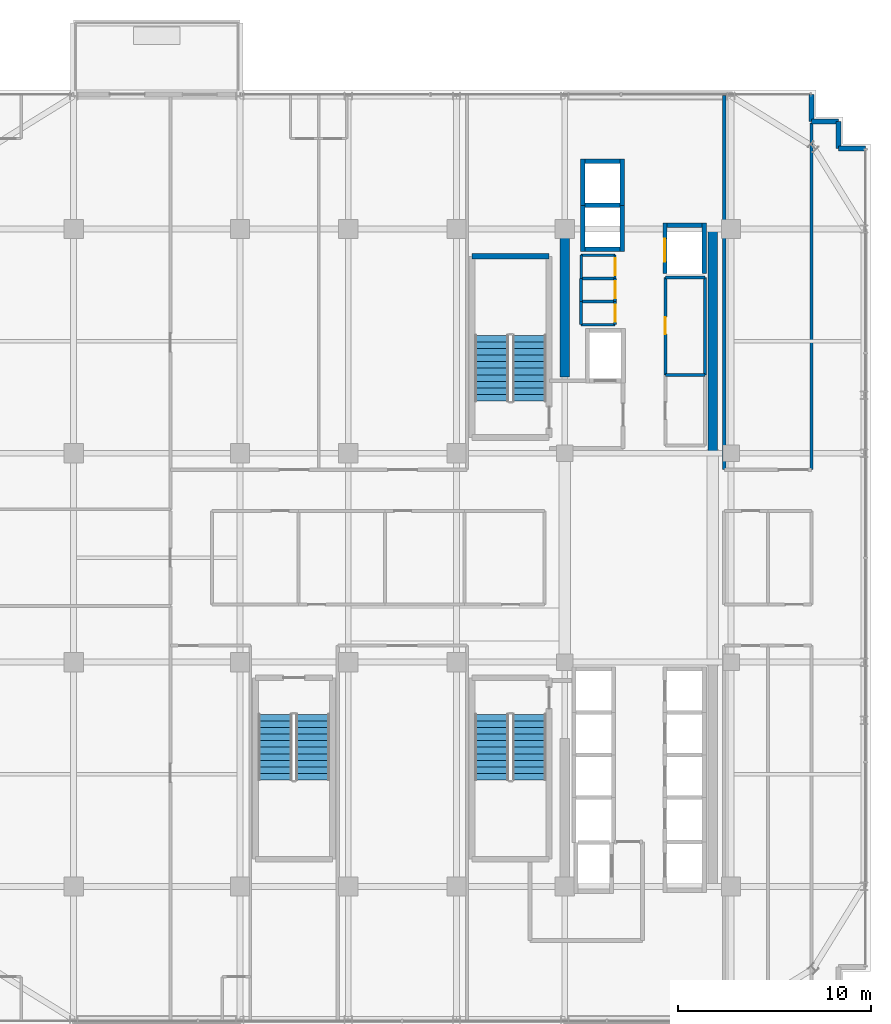
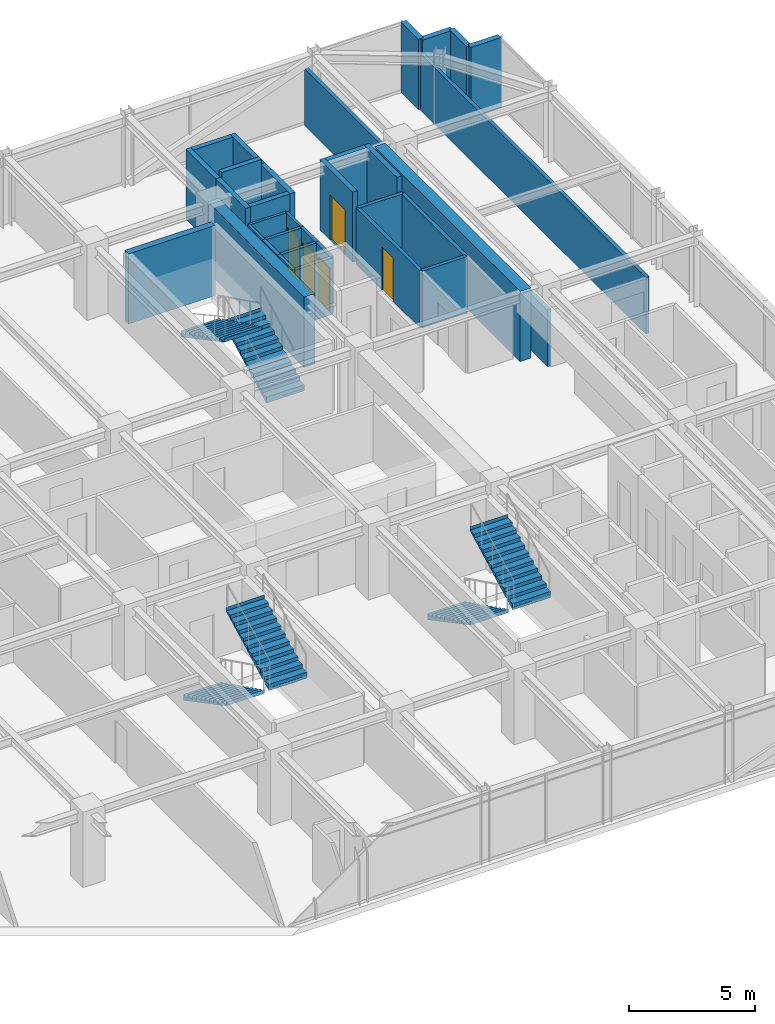
# One storey, part 32 of 36: 33 walls, 6 stair flights, 5 doors, 5 openings, 3 elements without a shape of their own.
"""IFC4 building model written with IfcOpenShell, lengths in metres."""

from ifc_helpers import new_model, si_unit, direction, frame, frame_2d, origin, place, context, subcontext, project, spatial, polyline, rectangle, outline, extrude, source, transform, mapped, material, layer, layer_set, type_object, element, fill, aggregate, save


model = new_model("IFC4")

# Units and contexts
model_context = context("Model", 3, precision=1e-05, world=origin(), true_north=direction((0.0, 1.0)))
body_context = subcontext(model_context, "Body", "Model", "MODEL_VIEW")
ifc_project = project(units=[si_unit("LENGTHUNIT", "METRE"), si_unit("AREAUNIT", "SQUARE_METRE"), si_unit("VOLUMEUNIT", "CUBIC_METRE"), si_unit("PLANEANGLEUNIT", "RADIAN"), si_unit("MASSUNIT", "GRAM", prefix="KILO")], contexts=[model_context])

# Site, building, storey
site_placement = place(None, origin())
site = spatial("IfcSite", under=ifc_project, at=site_placement, CompositionType="ELEMENT")
building_placement = place(site_placement, origin())
building = spatial("IfcBuilding", under=site, at=building_placement, Name="Nahalor Promenade Grand Hotel", CompositionType="ELEMENT")
storey_placement = place(building_placement, frame((0.0, 0.0, 212.300048828125)))
storey = spatial("IfcBuildingStorey", under=building, at=storey_placement, Name="L54", CompositionType="ELEMENT", Elevation=212.300048828125)

# Walls
ifc_material_1 = material(Name="Concrete B-60 (C50/60)", Category="concrete")
ifc_layer_1 = layer(ifc_material_1, 0.5)
ifc_layer_set_1 = layer_set([ifc_layer_1], Name="Concrete B-60 (C50/60)")
wall_type_1 = type_object("IfcWallType", Name="Wall-CoreShear-500", PredefinedType="SHEAR", material=ifc_layer_set_1)
shared_shape_1 = source(origin(), body_context, "Body", "SweptSolid", [
    extrude(rectangle(XDim=7.64990234375, YDim=0.5, at=frame_2d((3.824951171875, 0.0))), origin(), (0.0, 0.0, 1.0), 3.409912109375),
])
wall_1_placement = place(storey_placement, frame((8.39990234375, 9.35009765625, 0.0), z_axis=(0.0, 0.0, 1.0), x_axis=(0.0, 1.0, 0.0)))
element("IfcWall", 1, at=wall_1_placement, inside=storey, type_object=wall_type_1, Name="CWALL-L54-NW", PredefinedType="SHEAR", context=body_context, shape_type="MappedRepresentation", body=[
    mapped(shared_shape_1, transform((0.0, 0.0, 0.0), scale=1.0)),
])
shared_shape_2 = source(origin(), body_context, "Body", "SweptSolid", [
    extrude(rectangle(XDim=11.60009765625, YDim=0.5, at=frame_2d((5.800048828125, 0.0))), origin(), (0.0, 0.0, 1.0), 3.409912109375),
])
wall_2_placement = place(storey_placement, frame((16.050048828125, 5.39990234375, 0.0), z_axis=(0.0, 0.0, 1.0), x_axis=(0.0, 1.0, 0.0)))
element("IfcWall", 2, at=wall_2_placement, inside=storey, type_object=wall_type_1, Name="CWALL-L54-NE", PredefinedType="SHEAR", context=body_context, shape_type="MappedRepresentation", body=[
    mapped(shared_shape_2, transform((0.0, 0.0, 0.0), scale=1.0)),
])
ifc_material_2 = material(Name="Concrete B-50 (C40/50)", Category="concrete")
ifc_layer_2 = layer(ifc_material_2, 0.300048828125)
ifc_layer_set_2 = layer_set([ifc_layer_2], Name="Concrete B-50 (C40/50)")
wall_type_2 = type_object("IfcWallType", Name="Wall-ShaftShear-300", PredefinedType="SHEAR", material=ifc_layer_set_2)
shared_shape_3 = source(origin(), body_context, "Body", "SweptSolid", [
    extrude(rectangle(XDim=3.97998046875, YDim=0.300048828125, at=frame_2d((1.989990234375, 0.0))), origin(), (0.0, 0.0, 1.0), 3.409912109375),
])
wall_3_placement = place(storey_placement, frame((3.610107421875, 15.590087890625, 0.0), z_axis=(0.0, 0.0, 1.0), x_axis=(1.0, 0.0, 0.0)))
element("IfcWall", 3, at=wall_3_placement, inside=storey, type_object=wall_type_2, Name="L54 Exit Stair ST1 Shaft Wall N", PredefinedType="SHEAR", context=body_context, shape_type="MappedRepresentation", body=[
    mapped(shared_shape_3, transform((0.0, 0.0, 0.0), scale=1.0)),
])
ifc_layer_3 = layer(ifc_material_2, 0.219970703125)
ifc_layer_set_3 = layer_set([ifc_layer_3], Name="Concrete B-50 (C40/50)")
wall_type_3 = type_object("IfcWallType", Name="Wall-LiftShaft-220", PredefinedType="SHEAR", material=ifc_layer_set_3)
shared_shape_4 = source(origin(), body_context, "Body", "SweptSolid", [
    extrude(rectangle(XDim=1.820068359375, YDim=0.219970703125, at=frame_2d((0.91015625, 0.0))), origin(), (0.0, 0.0, 1.0), 3.409912109375),
])
for number, where, z_axis, x_axis, name in (
    (4, (9.43994140625, 15.949951171875, 0.0), (0.0, 0.0, 1.0), (1.0, 0.0, 0.0), "L54 Lift OB1 Hoistway Wall S"),
    (5, (9.43994140625, 20.5, 0.0), (0.0, 0.0, 1.0), (1.0, 0.0, 0.0), "L54 Lift OB2 Hoistway Wall N"),
    (6, (13.68994140625, 17.199951171875, 0.0), (0.0, 0.0, 1.0), (1.0, 0.0, 0.0), "L54 Lift SV1 Hoistway Wall N"),
):
    element("IfcWall", number, at=place(storey_placement, frame(where, z_axis=z_axis, x_axis=x_axis)), inside=storey, type_object=wall_type_3, Name=name, PredefinedType="SHEAR", context=body_context, shape_type="MappedRepresentation", body=[
        mapped(shared_shape_4, transform((0.0, 0.0, 0.0), scale=1.0)),
    ])
shared_shape_5 = source(origin(), body_context, "Body", "SweptSolid", [
    extrude(rectangle(XDim=1.820068359375, YDim=0.219970703125, at=frame_2d((0.91015625, 0.0))), origin(), (0.0, 0.0, 1.0), 3.699951171875),
])
wall_4_placement = place(storey_placement, frame((9.43994140625, 18.22509765625, 0.0), z_axis=(0.0, 0.0, 1.0), x_axis=(1.0, 0.0, 0.0)))
element("IfcWall", 7, at=wall_4_placement, inside=storey, type_object=wall_type_3, Name="L54 Lift OB1 Hoistway Wall N", PredefinedType="SHEAR", context=body_context, shape_type="MappedRepresentation", body=[
    mapped(shared_shape_5, transform((0.0, 0.0, 0.0), scale=1.0)),
])
shared_shape_6 = source(origin(), body_context, "Body", "SweptSolid", [
    extrude(rectangle(XDim=2.385009765625, YDim=0.219970703125, at=frame_2d((1.1923828125, 0.0))), origin(), (0.0, 0.0, 1.0), 3.409912109375),
])
for number, where, z_axis, x_axis, name in (
    (8, (9.330078125, 15.840087890625, 0.0), (0.0, 0.0, 1.0), (0.0, 1.0, 0.0), "L54 Lift OB1 Hoistway Wall W"),
    (9, (11.3701171875, 15.840087890625, 0.0), (0.0, 0.0, 1.0), (0.0, 1.0, 0.0), "L54 Lift OB1 Hoistway Wall E"),
    (10, (9.330078125, 18.22509765625, 0.0), (0.0, 0.0, 1.0), (0.0, 1.0, 0.0), "L54 Lift OB2 Hoistway Wall W"),
    (11, (11.3701171875, 18.22509765625, 0.0), (0.0, 0.0, 1.0), (0.0, 1.0, 0.0), "L54 Lift OB2 Hoistway Wall E"),
):
    element("IfcWall", number, at=place(storey_placement, frame(where, z_axis=z_axis, x_axis=x_axis)), inside=storey, type_object=wall_type_3, Name=name, PredefinedType="SHEAR", context=body_context, shape_type="MappedRepresentation", body=[
        mapped(shared_shape_6, transform((0.0, 0.0, 0.0), scale=1.0)),
    ])

# Wall, opening, door
shared_shape_7 = source(origin(), body_context, "Body", "SweptSolid", [
    extrude(rectangle(XDim=2.610107421875, YDim=0.219970703125, at=frame_2d((1.30517578125, 0.0))), origin(), (0.0, 0.0, 1.0), 3.409912109375),
])
wall_5_placement = place(storey_placement, frame((13.580078125, 14.699951171875, 0.0), z_axis=(0.0, 0.0, 1.0), x_axis=(0.0, 1.0, 0.0)))
wall_5 = element("IfcWall", 12, at=wall_5_placement, inside=storey, type_object=wall_type_3, Name="L54 Lift SV1 Hoistway Wall W", PredefinedType="SHEAR", context=body_context, shape_type="MappedRepresentation", body=[
    mapped(shared_shape_7, transform((0.0, 0.0, 0.0), scale=1.0)),
])
opening_1_placement = place(wall_5_placement, frame((0.60009765625, 0.0, 0.0)))
opening_1 = element("IfcOpeningElement", 13, at=opening_1_placement, cuts=wall_5, Name="Opening LD-03", PredefinedType="OPENING", context=body_context, shape_type="SweptSolid", body=[
    extrude(rectangle(XDim=1.199951171875, YDim=2.199951171875, at=frame_2d((0.60009765625, 1.10009765625))), frame((0.0, 0.119873046875, 0.0), z_axis=(0.0, -1.0, 0.0), x_axis=(1.0, 0.0, 0.0)), (0.0, 0.0, 1.0), 0.239990234375),
])
ifc_material_3 = material(Name="Steel S355JR", Category="steel")
door_type_1 = type_object("IfcDoorType", Name="Door-LiftService-1200", OperationType="DOUBLE_DOOR_SLIDING", PredefinedType="DOOR", material=ifc_material_3)
shared_shape_8 = source(origin(), body_context, "Body", "SweptSolid", [
    extrude(rectangle(XDim=1.199951171875, YDim=2.199951171875, at=frame_2d((0.60009765625, 1.10009765625))), frame((0.0, 0.02490234375, 0.0), z_axis=(0.0, -1.0, 0.0), x_axis=(1.0, 0.0, 0.0)), (0.0, 0.0, 1.0), 0.050048828125),
])
door_1_placement = place(opening_1_placement, origin())
door_1 = element("IfcDoor", 14, at=door_1_placement, inside=storey, type_object=door_type_1, Name="DR-LIFT-SV1-L54", OperationType="DOUBLE_DOOR_SLIDING", OverallHeight=2.199951171875, OverallWidth=1.199951171875, PredefinedType="DOOR", context=body_context, shape_type="MappedRepresentation", body=[
    mapped(shared_shape_8, transform((0.0, 0.0, 0.0), scale=1.0)),
])
fill(opening_1, door_1)

# Walls
wall_6_placement = place(storey_placement, frame((15.6201171875, 14.699951171875, 0.0), z_axis=(0.0, 0.0, 1.0), x_axis=(0.0, 1.0, 0.0)))
element("IfcWall", 15, at=wall_6_placement, inside=storey, type_object=wall_type_3, Name="L54 Lift SV1 Hoistway Wall E", PredefinedType="SHEAR", context=body_context, shape_type="MappedRepresentation", body=[
    mapped(shared_shape_7, transform((0.0, 0.0, 0.0), scale=1.0)),
])
ifc_material_4 = material(Name="Concrete B-40 (C32/40)", Category="concrete")
ifc_layer_4 = layer(ifc_material_4, 0.25)
ifc_layer_set_4 = layer_set([ifc_layer_4], Name="Concrete B-40 (C32/40)")
wall_type_4 = type_object("IfcWallType", Name="Wall-BronzePier-250", PredefinedType="STANDARD", material=ifc_layer_set_4)
shared_shape_9 = source(origin(), body_context, "Body", "SweptSolid", [
    extrude(rectangle(XDim=1.39990234375, YDim=0.25, at=frame_2d((0.699951171875, 0.0))), origin(), (0.0, 0.0, 1.0), 3.409912109375),
])
for number, where, z_axis, x_axis, name in (
    (16, (22.56005859375, 21.159912109375, 0.0), (0.0, 0.0, 1.0), (1.0, 0.0, 0.0), "W-L54-SR-05"),
    (17, (21.159912109375, 22.56005859375, 0.0), (0.0, 0.0, 1.0), (0.0, 1.0, 0.0), "W-L54-SR-08"),
):
    element("IfcWall", number, at=place(storey_placement, frame(where, z_axis=z_axis, x_axis=x_axis)), inside=storey, type_object=wall_type_4, Name=name, PredefinedType="STANDARD", context=body_context, shape_type="MappedRepresentation", body=[
        mapped(shared_shape_9, transform((0.0, 0.0, 0.0), scale=1.0)),
    ])
shared_shape_10 = source(origin(), body_context, "Body", "SweptSolid", [
    extrude(rectangle(XDim=1.400146484375, YDim=0.25, at=frame_2d((0.7001953125, 0.0))), origin(), (0.0, 0.0, 1.0), 3.409912109375),
])
for number, where, z_axis, x_axis, name in (
    (18, (22.56005859375, 21.159912109375, 0.0), (0.0, 0.0, 1.0), (0.0, 1.0, 0.0), "W-L54-SR-06"),
    (19, (21.159912109375, 22.56005859375, 0.0), (0.0, 0.0, 1.0), (1.0, 0.0, 0.0), "W-L54-SR-07"),
):
    element("IfcWall", number, at=place(storey_placement, frame(where, z_axis=z_axis, x_axis=x_axis)), inside=storey, type_object=wall_type_4, Name=name, PredefinedType="STANDARD", context=body_context, shape_type="MappedRepresentation", body=[
        mapped(shared_shape_10, transform((0.0, 0.0, 0.0), scale=1.0)),
    ])
ifc_material_5 = material(Name="Acoustic Mineral Gypsum", Category="gypsum")
ifc_layer_5 = layer(ifc_material_5, 0.14990234375)
ifc_layer_set_5 = layer_set([ifc_layer_5], Name="Acoustic Mineral Gypsum")
wall_type_5 = type_object("IfcWallType", Name="Wall-PartService-150", PredefinedType="PARTITIONING", material=ifc_layer_set_5)
shared_shape_11 = source(origin(), body_context, "Body", "SweptSolid", [
    extrude(rectangle(XDim=1.75, YDim=0.14990234375, at=frame_2d((0.875, 0.0))), origin(), (0.0, 0.0, 1.0), 2.75),
])
for number, where, z_axis, x_axis, name in (
    (20, (9.25, 12.050048828125, 0.0), (0.0, 0.0, 1.0), (1.0, 0.0, 0.0), "W-L54-CK3A-S"),
    (21, (9.25, 13.25, 0.0), (0.0, 0.0, 1.0), (1.0, 0.0, 0.0), "W-L54-CK3A-N"),
    (22, (9.25, 14.449951171875, 0.0), (0.0, 0.0, 1.0), (1.0, 0.0, 0.0), "W-L54-CK3B-N"),
):
    element("IfcWall", number, at=place(storey_placement, frame(where, z_axis=z_axis, x_axis=x_axis)), inside=storey, type_object=wall_type_5, Name=name, PredefinedType="PARTITIONING", context=body_context, shape_type="MappedRepresentation", body=[
        mapped(shared_shape_11, transform((0.0, 0.0, 0.0), scale=1.0)),
    ])
ifc_layer_6 = layer(ifc_material_5, 0.159912109375)
ifc_layer_set_6 = layer_set([ifc_layer_6], Name="Acoustic Mineral Gypsum")
wall_type_6 = type_object("IfcWallType", Name="Wall-PartCorridor-160", PredefinedType="PARTITIONING", material=ifc_layer_set_6)
shared_shape_12 = source(origin(), body_context, "Body", "SweptSolid", [
    extrude(rectangle(XDim=2.0498046875, YDim=0.159912109375, at=frame_2d((1.02490234375, 0.0))), origin(), (0.0, 0.0, 1.0), 2.75),
])
for number, where, z_axis, x_axis, name in (
    (23, (13.60009765625, 9.449951171875, 0.0), (0.0, 0.0, 1.0), (1.0, 0.0, 0.0), "W-L54-FRB1A-N"),
    (24, (13.60009765625, 14.5, 0.0), (0.0, 0.0, 1.0), (1.0, 0.0, 0.0), "W-L54-FRB1B-N"),
):
    element("IfcWall", number, at=place(storey_placement, frame(where, z_axis=z_axis, x_axis=x_axis)), inside=storey, type_object=wall_type_6, Name=name, PredefinedType="PARTITIONING", context=body_context, shape_type="MappedRepresentation", body=[
        mapped(shared_shape_12, transform((0.0, 0.0, 0.0), scale=1.0)),
    ])
shared_shape_13 = source(origin(), body_context, "Body", "SweptSolid", [
    extrude(rectangle(XDim=19.349853515625, YDim=0.159912109375, at=frame_2d((9.6748046875, 0.0))), origin(), (0.0, 0.0, 1.0), 2.75),
])
wall_7_placement = place(storey_placement, frame((16.64990234375, 4.550048828125, 0.0), z_axis=(0.0, 0.0, 1.0), x_axis=(0.0, 1.0, 0.0)))
element("IfcWall", 25, at=wall_7_placement, inside=storey, type_object=wall_type_6, Name="W-L54-ENE-W", PredefinedType="PARTITIONING", context=body_context, shape_type="MappedRepresentation", body=[
    mapped(shared_shape_13, transform((0.0, 0.0, 0.0), scale=1.0)),
])
shared_shape_14 = source(origin(), body_context, "Body", "SweptSolid", [
    extrude(rectangle(XDim=17.929931640625, YDim=0.159912109375, at=frame_2d((8.96484375, 0.0))), origin(), (0.0, 0.0, 1.0), 2.75),
])
wall_8_placement = place(storey_placement, frame((21.159912109375, 4.550048828125, 0.0), z_axis=(0.0, 0.0, 1.0), x_axis=(0.0, 1.0, 0.0)))
element("IfcWall", 26, at=wall_8_placement, inside=storey, type_object=wall_type_6, Name="W-L54-ENE-E", PredefinedType="PARTITIONING", context=body_context, shape_type="MappedRepresentation", body=[
    mapped(shared_shape_14, transform((0.0, 0.0, 0.0), scale=1.0)),
])
ifc_layer_7 = layer(ifc_material_5, 0.1201171875)
ifc_layer_set_7 = layer_set([ifc_layer_7], Name="Acoustic Mineral Gypsum")
wall_type_7 = type_object("IfcWallType", Name="Wall-PartBath-120", PredefinedType="PARTITIONING", material=ifc_layer_set_7)
shared_shape_15 = source(origin(), body_context, "Body", "SweptSolid", [
    extrude(rectangle(XDim=1.75, YDim=0.1201171875, at=frame_2d((0.875, 0.0))), origin(), (0.0, 0.0, 1.0), 2.75),
])
wall_9_placement = place(storey_placement, frame((9.25, 15.64990234375, 0.0), z_axis=(0.0, 0.0, 1.0), x_axis=(1.0, 0.0, 0.0)))
element("IfcWall", 27, at=wall_9_placement, inside=storey, type_object=wall_type_7, Name="W-L54-CK3C-N", PredefinedType="PARTITIONING", context=body_context, shape_type="MappedRepresentation", body=[
    mapped(shared_shape_15, transform((0.0, 0.0, 0.0), scale=1.0)),
])
shared_shape_16 = source(origin(), body_context, "Body", "SweptSolid", [
    extrude(rectangle(XDim=1.199951171875, YDim=0.14990234375, at=frame_2d((0.60009765625, 0.0))), origin(), (0.0, 0.0, 1.0), 2.75),
])
wall_10_placement = place(storey_placement, frame((9.25, 12.050048828125, 0.0), z_axis=(0.0, 0.0, 1.0), x_axis=(0.0, 1.0, 0.0)))
element("IfcWall", 28, at=wall_10_placement, inside=storey, type_object=wall_type_5, Name="W-L54-CK3A-W", PredefinedType="PARTITIONING", context=body_context, shape_type="MappedRepresentation", body=[
    mapped(shared_shape_16, transform((0.0, 0.0, 0.0), scale=1.0)),
])

# Wall, opening, door
wall_11_placement = place(storey_placement, frame((11.0, 12.050048828125, 0.0), z_axis=(0.0, 0.0, 1.0), x_axis=(0.0, 1.0, 0.0)))
wall_11 = element("IfcWall", 29, at=wall_11_placement, inside=storey, type_object=wall_type_5, Name="W-L54-CK3A-E", PredefinedType="PARTITIONING", context=body_context, shape_type="MappedRepresentation", body=[
    mapped(shared_shape_16, transform((0.0, 0.0, 0.0), scale=1.0)),
])
opening_2_placement = place(wall_11_placement, frame((0.159912109375, 0.0, 0.0)))
opening_2 = element("IfcOpeningElement", 30, at=opening_2_placement, cuts=wall_11, Name="Opening D-03", PredefinedType="OPENING", context=body_context, shape_type="SweptSolid", body=[
    extrude(rectangle(XDim=0.8798828125, YDim=2.10009765625, at=frame_2d((0.43994140625, 1.050048828125))), frame((0.0, 0.0849609375, 0.0), z_axis=(0.0, -1.0, 0.0), x_axis=(1.0, 0.0, 0.0)), (0.0, 0.0, 1.0), 0.169921875),
])
ifc_material_6 = material(Name="Fire-Rated Timber Composite", Category="wood")
door_type_2 = type_object("IfcDoorType", Name="Door-BathSwing-880", OperationType="NOTDEFINED", PredefinedType="DOOR", material=ifc_material_6)
shared_shape_17 = source(origin(), body_context, "Body", "SweptSolid", [
    extrude(rectangle(XDim=0.8798828125, YDim=2.10009765625, at=frame_2d((0.43994140625, 1.050048828125))), frame((0.0, 0.02490234375, 0.0), z_axis=(0.0, -1.0, 0.0), x_axis=(1.0, 0.0, 0.0)), (0.0, 0.0, 1.0), 0.050048828125),
])
door_2_placement = place(opening_2_placement, origin())
door_2 = element("IfcDoor", 31, at=door_2_placement, inside=storey, type_object=door_type_2, Name="DR-L54-CK3A", OperationType="SINGLE_SWING_RIGHT", OverallHeight=2.10009765625, OverallWidth=0.8798828125, PredefinedType="DOOR", context=body_context, shape_type="MappedRepresentation", body=[
    mapped(shared_shape_17, transform((0.0, 0.0, 0.0), scale=1.0)),
])
fill(opening_2, door_2)

# Wall
wall_12_placement = place(storey_placement, frame((9.25, 13.25, 0.0), z_axis=(0.0, 0.0, 1.0), x_axis=(0.0, 1.0, 0.0)))
element("IfcWall", 32, at=wall_12_placement, inside=storey, type_object=wall_type_5, Name="W-L54-CK3B-W", PredefinedType="PARTITIONING", context=body_context, shape_type="MappedRepresentation", body=[
    mapped(shared_shape_16, transform((0.0, 0.0, 0.0), scale=1.0)),
])

# Wall, opening, door
wall_13_placement = place(storey_placement, frame((11.0, 13.25, 0.0), z_axis=(0.0, 0.0, 1.0), x_axis=(0.0, 1.0, 0.0)))
wall_13 = element("IfcWall", 33, at=wall_13_placement, inside=storey, type_object=wall_type_5, Name="W-L54-CK3B-E", PredefinedType="PARTITIONING", context=body_context, shape_type="MappedRepresentation", body=[
    mapped(shared_shape_16, transform((0.0, 0.0, 0.0), scale=1.0)),
])
opening_3_placement = place(wall_13_placement, frame((0.159912109375, 0.0, 0.0)))
opening_3 = element("IfcOpeningElement", 34, at=opening_3_placement, cuts=wall_13, Name="Opening D-03", PredefinedType="OPENING", context=body_context, shape_type="SweptSolid", body=[
    extrude(rectangle(XDim=0.8798828125, YDim=2.10009765625, at=frame_2d((0.43994140625, 1.050048828125))), frame((0.0, 0.0849609375, 0.0), z_axis=(0.0, -1.0, 0.0), x_axis=(1.0, 0.0, 0.0)), (0.0, 0.0, 1.0), 0.169921875),
])
door_3_placement = place(opening_3_placement, origin())
door_3 = element("IfcDoor", 35, at=door_3_placement, inside=storey, type_object=door_type_2, Name="DR-L54-CK3B", OperationType="SINGLE_SWING_LEFT", OverallHeight=2.10009765625, OverallWidth=0.8798828125, PredefinedType="DOOR", context=body_context, shape_type="MappedRepresentation", body=[
    mapped(shared_shape_17, transform((0.0, 0.0, 0.0), scale=1.0)),
])
fill(opening_3, door_3)

# Wall
shared_shape_18 = source(origin(), body_context, "Body", "SweptSolid", [
    extrude(rectangle(XDim=1.199951171875, YDim=0.1201171875, at=frame_2d((0.60009765625, 0.0))), origin(), (0.0, 0.0, 1.0), 2.75),
])
wall_14_placement = place(storey_placement, frame((9.25, 14.449951171875, 0.0), z_axis=(0.0, 0.0, 1.0), x_axis=(0.0, 1.0, 0.0)))
element("IfcWall", 36, at=wall_14_placement, inside=storey, type_object=wall_type_7, Name="W-L54-CK3C-W", PredefinedType="PARTITIONING", context=body_context, shape_type="MappedRepresentation", body=[
    mapped(shared_shape_18, transform((0.0, 0.0, 0.0), scale=1.0)),
])

# Wall, opening, door
wall_15_placement = place(storey_placement, frame((11.0, 14.449951171875, 0.0), z_axis=(0.0, 0.0, 1.0), x_axis=(0.0, 1.0, 0.0)))
wall_15 = element("IfcWall", 37, at=wall_15_placement, inside=storey, type_object=wall_type_7, Name="W-L54-CK3C-E", PredefinedType="PARTITIONING", context=body_context, shape_type="MappedRepresentation", body=[
    mapped(shared_shape_18, transform((0.0, 0.0, 0.0), scale=1.0)),
])
opening_4_placement = place(wall_15_placement, frame((0.159912109375, 0.0, 0.0)))
opening_4 = element("IfcOpeningElement", 38, at=opening_4_placement, cuts=wall_15, Name="Opening D-03", PredefinedType="OPENING", context=body_context, shape_type="SweptSolid", body=[
    extrude(rectangle(XDim=0.8798828125, YDim=2.10009765625, at=frame_2d((0.43994140625, 1.050048828125))), frame((0.0, 0.070068359375, 0.0), z_axis=(0.0, -1.0, 0.0), x_axis=(1.0, 0.0, 0.0)), (0.0, 0.0, 1.0), 0.14013671875),
])
door_4_placement = place(opening_4_placement, origin())
door_4 = element("IfcDoor", 39, at=door_4_placement, inside=storey, type_object=door_type_2, Name="DR-L54-CK3C", OperationType="SINGLE_SWING_RIGHT", OverallHeight=2.10009765625, OverallWidth=0.8798828125, PredefinedType="DOOR", context=body_context, shape_type="MappedRepresentation", body=[
    mapped(shared_shape_17, transform((0.0, 0.0, 0.0), scale=1.0)),
])
fill(opening_4, door_4)

shared_shape_19 = source(origin(), body_context, "Body", "SweptSolid", [
    extrude(rectangle(XDim=5.050048828125, YDim=0.159912109375, at=frame_2d((2.52490234375, 0.0))), origin(), (0.0, 0.0, 1.0), 2.75),
])
wall_16_placement = place(storey_placement, frame((13.60009765625, 9.449951171875, 0.0), z_axis=(0.0, 0.0, 1.0), x_axis=(0.0, 1.0, 0.0)))
wall_16 = element("IfcWall", 40, at=wall_16_placement, inside=storey, type_object=wall_type_6, Name="W-L54-FRB1B-W", PredefinedType="PARTITIONING", context=body_context, shape_type="MappedRepresentation", body=[
    mapped(shared_shape_19, transform((0.0, 0.0, 0.0), scale=1.0)),
])
opening_5_placement = place(wall_16_placement, frame((2.110107421875, 0.0, 0.0)))
opening_5 = element("IfcOpeningElement", 41, at=opening_5_placement, cuts=wall_16, Name="Opening D-03", PredefinedType="OPENING", context=body_context, shape_type="SweptSolid", body=[
    extrude(rectangle(XDim=0.8798828125, YDim=2.10009765625, at=frame_2d((0.43994140625, 1.050048828125))), frame((0.0, 0.08984375, 0.0), z_axis=(0.0, -1.0, 0.0), x_axis=(1.0, 0.0, 0.0)), (0.0, 0.0, 1.0), 0.179931640625),
])
door_5_placement = place(opening_5_placement, frame((0.8798828125, 0.0, 0.0), z_axis=(0.0, 0.0, 1.0), x_axis=(-1.0, 0.0, 0.0)))
door_5 = element("IfcDoor", 42, at=door_5_placement, inside=storey, type_object=door_type_2, Name="DR-L54-FRB1B", OperationType="SINGLE_SWING_RIGHT", OverallHeight=2.10009765625, OverallWidth=0.8798828125, PredefinedType="DOOR", context=body_context, shape_type="MappedRepresentation", body=[
    mapped(shared_shape_17, transform((0.0, 0.0, 0.0), scale=1.0)),
])
fill(opening_5, door_5)

# Wall
wall_17_placement = place(storey_placement, frame((15.64990234375, 9.449951171875, 0.0), z_axis=(0.0, 0.0, 1.0), x_axis=(0.0, 1.0, 0.0)))
element("IfcWall", 43, at=wall_17_placement, inside=storey, type_object=wall_type_6, Name="W-L54-FRB1B-E", PredefinedType="PARTITIONING", context=body_context, shape_type="MappedRepresentation", body=[
    mapped(shared_shape_19, transform((0.0, 0.0, 0.0), scale=1.0)),
])

# Stair, stair flights
stair_type_1 = type_object("IfcStairType", Name="Stair-ST1", PredefinedType="HALF_TURN_STAIR", material=ifc_material_2)
stair_1_placement = place(storey_placement, origin())
stair_1 = element("IfcStair", 44, at=stair_1_placement, inside=storey, type_object=stair_type_1, Name="L54 ST1", PredefinedType="HALF_TURN_STAIR")
ifc_layer_8 = layer(ifc_material_2, 0.179931640625)
ifc_layer_set_8 = layer_set([ifc_layer_8], Name="Concrete B-50 (C40/50)")
stair_flight_type_1 = type_object("IfcStairFlightType", Name="Flight-ST1", PredefinedType="STRAIGHT", material=ifc_layer_set_8)
shared_shape_20 = source(origin(), body_context, "Body", "SweptSolid", [
    extrude(outline(polyline([(-0.00390625, -0.1201171875), (-0.00390625, 0.0), (0.0, 0.0), (0.0, 0.168212890625), (0.340087890625, 0.168212890625), (0.340087890625, 0.33642578125), (0.679931640625, 0.33642578125), (0.679931640625, 0.504638671875), (1.02001953125, 0.504638671875), (1.02001953125, 0.672607421875), (1.360107421875, 0.672607421875), (1.360107421875, 0.8408203125), (1.699951171875, 0.8408203125), (1.699951171875, 1.009033203125), (2.0400390625, 1.009033203125), (2.0400390625, 1.17724609375), (2.3798828125, 1.17724609375), (2.3798828125, 1.345458984375), (2.719970703125, 1.345458984375), (2.719970703125, 1.513671875), (3.06005859375, 1.513671875), (3.06005859375, 1.681884765625), (3.39990234375, 1.681884765625), (3.39990234375, 1.85009765625), (3.404052734375, 1.85009765625), (3.404052734375, 1.669921875), (0.02001953125, -0.1201171875), (-0.00390625, -0.1201171875)])), frame((0.0, 0.875, 0.0), z_axis=(0.0, -1.0, 0.0), x_axis=(1.0, 0.0, 0.0)), (0.0, 0.0, 1.0), 1.75),
])
stair_flight_1_placement = place(storey_placement, frame((6.574951171875, 8.10009765625, 0.0), z_axis=(0.0, 0.0, 1.0), x_axis=(0.0, 1.0, 0.0)))
stair_flight_1 = element("IfcStairFlight", 45, at=stair_flight_1_placement, type_object=stair_flight_type_1, Name="ST1 flight 1", NumberOfRisers=11, NumberOfTreads=10, PredefinedType="STRAIGHT", RiserHeight=0.168181818, TreadLength=0.34, context=body_context, shape_type="MappedRepresentation", body=[
    mapped(shared_shape_20, transform((0.0, 0.0, 0.0), scale=1.0)),
])
stair_flight_2_placement = place(storey_placement, frame((4.625, 11.5, 1.849853515625), z_axis=(0.0, 0.0, 1.0), x_axis=(0.0, -1.0, 0.0)))
stair_flight_2 = element("IfcStairFlight", 46, at=stair_flight_2_placement, type_object=stair_flight_type_1, Name="ST1 flight 2", NumberOfRisers=11, NumberOfTreads=10, PredefinedType="STRAIGHT", RiserHeight=0.168181818, TreadLength=0.34, context=body_context, shape_type="MappedRepresentation", body=[
    mapped(shared_shape_20, transform((0.0, 0.0, 0.0), scale=1.0)),
])
aggregate(stair_1, [stair_flight_1, stair_flight_2])

stair_type_2 = type_object("IfcStairType", Name="Stair-ST2", PredefinedType="HALF_TURN_STAIR", material=ifc_material_2)
stair_2_placement = place(storey_placement, origin())
stair_2 = element("IfcStair", 47, at=stair_2_placement, inside=storey, type_object=stair_type_2, Name="L54 ST2", PredefinedType="HALF_TURN_STAIR")
ifc_layer_9 = layer(ifc_material_2, 0.18994140625)
ifc_layer_set_9 = layer_set([ifc_layer_9], Name="Concrete B-50 (C40/50)")
stair_flight_type_2 = type_object("IfcStairFlightType", Name="Flight-ST2", PredefinedType="STRAIGHT", material=ifc_layer_set_9)
shared_shape_21 = source(origin(), body_context, "Body", "SweptSolid", [
    extrude(outline(polyline([(-0.00390625, -0.1201171875), (-0.00390625, 0.0), (0.0, 0.0), (0.0, 0.168212890625), (0.340087890625, 0.168212890625), (0.340087890625, 0.33642578125), (0.679931640625, 0.33642578125), (0.679931640625, 0.504638671875), (1.02001953125, 0.504638671875), (1.02001953125, 0.672607421875), (1.360107421875, 0.672607421875), (1.360107421875, 0.8408203125), (1.699951171875, 0.8408203125), (1.699951171875, 1.009033203125), (2.0400390625, 1.009033203125), (2.0400390625, 1.17724609375), (2.3798828125, 1.17724609375), (2.3798828125, 1.345458984375), (2.719970703125, 1.345458984375), (2.719970703125, 1.513671875), (3.06005859375, 1.513671875), (3.06005859375, 1.681884765625), (3.39990234375, 1.681884765625), (3.39990234375, 1.85009765625), (3.404052734375, 1.85009765625), (3.404052734375, 1.669921875), (0.02001953125, -0.1201171875), (-0.00390625, -0.1201171875)])), frame((0.0, 0.875, 0.0), z_axis=(0.0, -1.0, 0.0), x_axis=(1.0, 0.0, 0.0)), (0.0, 0.0, 1.0), 1.75),
])
stair_flight_3_placement = place(storey_placement, frame((4.625, -8.10009765625, 0.0), z_axis=(0.0, 0.0, 1.0), x_axis=(0.0, -1.0, 0.0)))
stair_flight_3 = element("IfcStairFlight", 48, at=stair_flight_3_placement, type_object=stair_flight_type_2, Name="ST2 flight 1", NumberOfRisers=11, NumberOfTreads=10, PredefinedType="STRAIGHT", RiserHeight=0.168181818, TreadLength=0.34, context=body_context, shape_type="MappedRepresentation", body=[
    mapped(shared_shape_21, transform((0.0, 0.0, 0.0), scale=1.0)),
])
stair_flight_4_placement = place(storey_placement, frame((6.574951171875, -11.5, 1.849853515625), z_axis=(0.0, 0.0, 1.0), x_axis=(0.0, 1.0, 0.0)))
stair_flight_4 = element("IfcStairFlight", 49, at=stair_flight_4_placement, type_object=stair_flight_type_2, Name="ST2 flight 2", NumberOfRisers=11, NumberOfTreads=10, PredefinedType="STRAIGHT", RiserHeight=0.168181818, TreadLength=0.34, context=body_context, shape_type="MappedRepresentation", body=[
    mapped(shared_shape_21, transform((0.0, 0.0, 0.0), scale=1.0)),
])
aggregate(stair_2, [stair_flight_3, stair_flight_4])

stair_type_3 = type_object("IfcStairType", Name="Stair-ST3", PredefinedType="HALF_TURN_STAIR", material=ifc_material_2)
stair_3_placement = place(storey_placement, origin())
stair_3 = element("IfcStair", 50, at=stair_3_placement, inside=storey, type_object=stair_type_3, Name="L54 ST3", PredefinedType="HALF_TURN_STAIR")
ifc_layer_10 = layer(ifc_material_2, 0.199951171875)
ifc_layer_set_10 = layer_set([ifc_layer_10], Name="Concrete B-50 (C40/50)")
stair_flight_type_3 = type_object("IfcStairFlightType", Name="Flight-ST3", PredefinedType="STRAIGHT", material=ifc_layer_set_10)
shared_shape_22 = source(origin(), body_context, "Body", "SweptSolid", [
    extrude(outline(polyline([(-0.00390625, -0.1201171875), (-0.00390625, 0.0), (0.0, 0.0), (0.0, 0.168212890625), (0.340087890625, 0.168212890625), (0.340087890625, 0.33642578125), (0.679931640625, 0.33642578125), (0.679931640625, 0.504638671875), (1.02001953125, 0.504638671875), (1.02001953125, 0.672607421875), (1.360107421875, 0.672607421875), (1.360107421875, 0.8408203125), (1.699951171875, 0.8408203125), (1.699951171875, 1.009033203125), (2.0400390625, 1.009033203125), (2.0400390625, 1.17724609375), (2.3798828125, 1.17724609375), (2.3798828125, 1.345458984375), (2.719970703125, 1.345458984375), (2.719970703125, 1.513671875), (3.06005859375, 1.513671875), (3.06005859375, 1.681884765625), (3.39990234375, 1.681884765625), (3.39990234375, 1.85009765625), (3.404052734375, 1.85009765625), (3.404052734375, 1.669921875), (0.02001953125, -0.1201171875), (-0.00390625, -0.1201171875)])), frame((0.0, 0.875, 0.0), z_axis=(0.0, -1.0, 0.0), x_axis=(1.0, 0.0, 0.0)), (0.0, 0.0, 1.0), 1.75),
])
stair_flight_5_placement = place(storey_placement, frame((-6.574951171875, -8.10009765625, 0.0), z_axis=(0.0, 0.0, 1.0), x_axis=(0.0, -1.0, 0.0)))
stair_flight_5 = element("IfcStairFlight", 51, at=stair_flight_5_placement, type_object=stair_flight_type_3, Name="ST3 flight 1", NumberOfRisers=11, NumberOfTreads=10, PredefinedType="STRAIGHT", RiserHeight=0.168181818, TreadLength=0.34, context=body_context, shape_type="MappedRepresentation", body=[
    mapped(shared_shape_22, transform((0.0, 0.0, 0.0), scale=1.0)),
])
stair_flight_6_placement = place(storey_placement, frame((-4.625, -11.5, 1.849853515625), z_axis=(0.0, 0.0, 1.0), x_axis=(0.0, 1.0, 0.0)))
stair_flight_6 = element("IfcStairFlight", 52, at=stair_flight_6_placement, type_object=stair_flight_type_3, Name="ST3 flight 2", NumberOfRisers=11, NumberOfTreads=10, PredefinedType="STRAIGHT", RiserHeight=0.168181818, TreadLength=0.34, context=body_context, shape_type="MappedRepresentation", body=[
    mapped(shared_shape_22, transform((0.0, 0.0, 0.0), scale=1.0)),
])
aggregate(stair_3, [stair_flight_5, stair_flight_6])

save(model, "model.ifc")
